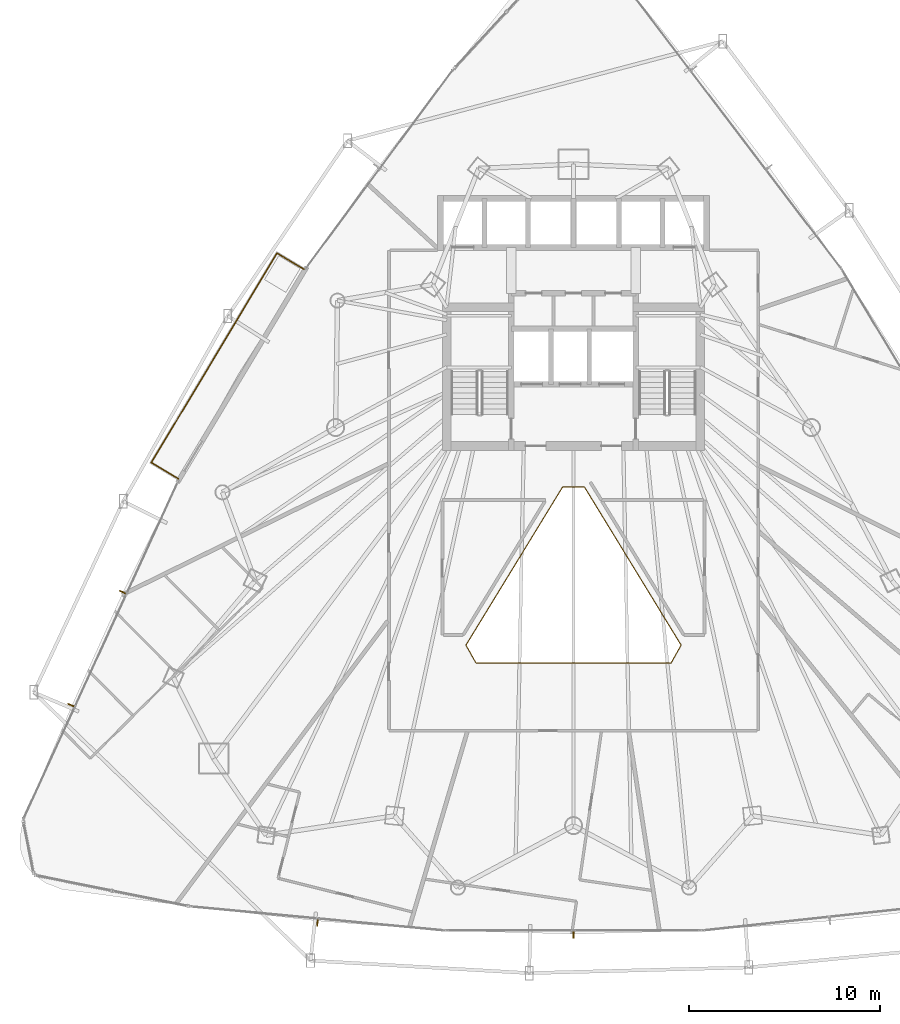
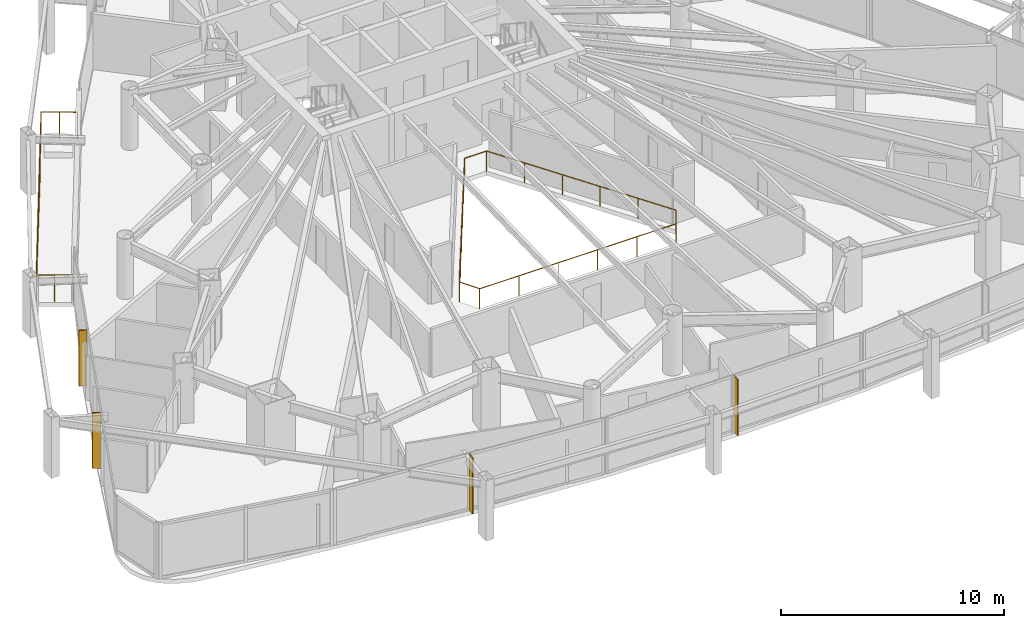
# One storey, part 32 of 35: 4 shading devices, 2 railings.
"""IFC4 building model written with IfcOpenShell, lengths in metres."""

from ifc_helpers import new_model, si_unit, direction, frame, origin, origin_2d, place, context, subcontext, project, spatial, rectangle, circle, extrude, material, layer, layer_set, type_object, element, save


model = new_model("IFC4")

# Units and contexts
model_context = context("Model", 3, precision=1e-05, world=origin(), true_north=direction((0.0, 1.0)))
body_context = subcontext(model_context, "Body", "Model", "MODEL_VIEW")
ifc_project = project(units=[si_unit("LENGTHUNIT", "METRE"), si_unit("AREAUNIT", "SQUARE_METRE"), si_unit("VOLUMEUNIT", "CUBIC_METRE"), si_unit("PLANEANGLEUNIT", "RADIAN"), si_unit("MASSUNIT", "GRAM", prefix="KILO")], contexts=[model_context])

# Site, building, storey
site_placement = place(None, origin())
site = spatial("IfcSite", under=ifc_project, at=site_placement, CompositionType="ELEMENT")
building_placement = place(site_placement, origin())
building = spatial("IfcBuilding", under=site, at=building_placement, Name="Orvanel Arch Residences", CompositionType="ELEMENT")
storey_placement = place(building_placement, frame((0.0, 0.0, 36.800048828125)))
storey = spatial("IfcBuildingStorey", under=building, at=storey_placement, Name="L09", CompositionType="ELEMENT", Elevation=36.800048828125)

# Shading devices
ifc_material = material(Name="Bronze-anodised aluminium AA6063-T6", Category="aluminium")
ifc_layer = layer(ifc_material, 0.06005859375)
ifc_layer_set = layer_set([ifc_layer], Name="Bronze-anodised aluminium AA6063-T6")
shading_device_type = type_object("IfcShadingDeviceType", Name="FIN-BRZ-380", PredefinedType="USERDEFINED", material=ifc_layer_set)
for number, where, z_axis, x_axis, name in (
    (1, (9.4541015625, 19.035888671875, 0.0), (0.0, 0.0, 1.0), (-0.909236109047, 0.41628079226, 0.0), "L09 Anodised Bronze Mullion FIN 01"),
    (2, (6.751953125, 13.137939453125, 0.0), (0.0, 0.0, 1.0), (-0.909236109047, 0.41628079226, 0.0), "L09 Anodised Bronze Mullion FIN 02"),
    (3, (19.6240234375, 1.77099609375, 0.0), (0.0, 0.0, 1.0), (-0.094108313319, -0.995561964603, 0.0), "L09 Anodised Bronze Mullion FIN 01"),
    (4, (33.0, 1.138916015625, 0.0), (0.0, 0.0, 1.0), (0.0, -1.0, 0.0), "L09 Anodised Bronze Mullion FIN 01"),
):
    element("IfcShadingDevice", number, at=place(storey_placement, frame(where, z_axis=z_axis, x_axis=x_axis)), inside=storey, type_object=shading_device_type, Name=name, ObjectType="FIN", PredefinedType="USERDEFINED", context=body_context, shape_type="SweptSolid", body=[
        extrude(rectangle(XDim=0.3798828125, YDim=0.06005859375, at=origin_2d()), origin(), (0.0, 0.0, 1.0), 3.06005859375),
    ])

# Railings
railing_type_1 = type_object("IfcRailingType", Name="RL-ATR-1120", PredefinedType="BALUSTRADE", material=ifc_material)
railing_1_placement = place(storey_placement, frame((33.569091796875, 24.531005859375, 0.0)))
element("IfcRailing", 5, at=railing_1_placement, inside=storey, type_object=railing_type_1, Name="L09 Atrium Void Protective Balustrade", PredefinedType="BALUSTRADE", context=body_context, shape_type="SweptSolid", body=[
    extrude(circle(Radius=0.02392578125, at=origin_2d()), frame((-0.00146484375, 0.0, 1.09619140625), z_axis=(-1.0, 0.0, 0.0), x_axis=(0.0, -1.0, 0.0)), (0.0, 0.0, 1.0), 1.13525390625),
    extrude(circle(Radius=0.02392578125, at=origin_2d()), frame((-1.138916015625, -0.001220703125, 1.09619140625), z_axis=(-0.521544896267, -0.853223840019, 0.0), x_axis=(0.853223840019, -0.521544896267, 0.0)), (0.0, 0.0, 1.0), 9.675537109375),
    extrude(circle(Radius=0.02392578125, at=origin_2d()), frame((-6.185302734375, -8.25927734375, 1.09619140625), z_axis=(0.489076966269, -0.872240632546, 0.0), x_axis=(0.872240632546, 0.489076966269, 0.0)), (0.0, 0.0, 1.0), 1.064208984375),
    extrude(circle(Radius=0.02392578125, at=origin_2d()), frame((-5.66259765625, -9.18896484375, 1.09619140625), z_axis=(1.0, 0.0, 0.0), x_axis=(0.0, 1.0, 0.0)), (0.0, 0.0, 1.0), 10.18701171875),
    extrude(circle(Radius=0.02392578125, at=origin_2d()), frame((4.526611328125, -9.187744140625, 1.09619140625), z_axis=(0.489076966269, 0.872240632546, 0.0), x_axis=(-0.872240632546, 0.489076966269, 0.0)), (0.0, 0.0, 1.0), 1.064208984375),
    extrude(circle(Radius=0.02392578125, at=origin_2d()), frame((5.047119140625, -8.2568359375, 1.09619140625), z_axis=(-0.521544896267, 0.853223840019, 0.0), x_axis=(-0.853223840019, -0.521544896267, 0.0)), (0.0, 0.0, 1.0), 9.675537109375),
    extrude(circle(Radius=0.02099609375, at=origin_2d()), origin(), (0.0, 0.0, 1.0), 1.070068359375),
    extrude(circle(Radius=0.02099609375, at=origin_2d()), frame((-1.13818359375, 0.0, 0.0)), (0.0, 0.0, 1.0), 1.070068359375),
    extrude(circle(Radius=0.02099609375, at=origin_2d()), frame((-2.147705078125, -1.651611328125, 0.0)), (0.0, 0.0, 1.0), 1.070068359375),
    extrude(circle(Radius=0.02099609375, at=origin_2d()), frame((-3.1572265625, -3.30322265625, 0.0)), (0.0, 0.0, 1.0), 1.070068359375),
    extrude(circle(Radius=0.02099609375, at=origin_2d()), frame((-4.1669921875, -4.954833984375, 0.0)), (0.0, 0.0, 1.0), 1.070068359375),
    extrude(circle(Radius=0.02099609375, at=origin_2d()), frame((-5.176513671875, -6.6064453125, 0.0)), (0.0, 0.0, 1.0), 1.070068359375),
    extrude(circle(Radius=0.02099609375, at=origin_2d()), frame((-6.18603515625, -8.258056640625, 0.0)), (0.0, 0.0, 1.0), 1.070068359375),
    extrude(circle(Radius=0.02099609375, at=origin_2d()), frame((-5.6640625, -9.18896484375, 0.0)), (0.0, 0.0, 1.0), 1.070068359375),
    extrude(circle(Radius=0.02099609375, at=origin_2d()), frame((-3.6259765625, -9.18896484375, 0.0)), (0.0, 0.0, 1.0), 1.070068359375),
    extrude(circle(Radius=0.02099609375, at=origin_2d()), frame((-1.588134765625, -9.18896484375, 0.0)), (0.0, 0.0, 1.0), 1.070068359375),
    extrude(circle(Radius=0.02099609375, at=origin_2d()), frame((0.449951171875, -9.18896484375, 0.0)), (0.0, 0.0, 1.0), 1.070068359375),
    extrude(circle(Radius=0.02099609375, at=origin_2d()), frame((2.48779296875, -9.18896484375, 0.0)), (0.0, 0.0, 1.0), 1.070068359375),
    extrude(circle(Radius=0.02099609375, at=origin_2d()), frame((4.52587890625, -9.18896484375, 0.0)), (0.0, 0.0, 1.0), 1.070068359375),
    extrude(circle(Radius=0.02099609375, at=origin_2d()), frame((5.0478515625, -8.258056640625, 0.0)), (0.0, 0.0, 1.0), 1.070068359375),
    extrude(circle(Radius=0.02099609375, at=origin_2d()), frame((4.038330078125, -6.6064453125, 0.0)), (0.0, 0.0, 1.0), 1.070068359375),
    extrude(circle(Radius=0.02099609375, at=origin_2d()), frame((3.02880859375, -4.954833984375, 0.0)), (0.0, 0.0, 1.0), 1.070068359375),
    extrude(circle(Radius=0.02099609375, at=origin_2d()), frame((2.01904296875, -3.30322265625, 0.0)), (0.0, 0.0, 1.0), 1.070068359375),
    extrude(circle(Radius=0.02099609375, at=origin_2d()), frame((1.009521484375, -1.651611328125, 0.0)), (0.0, 0.0, 1.0), 1.070068359375),
])
railing_type_2 = type_object("IfcRailingType", Name="RL-BAL-1480", PredefinedType="BALUSTRADE", material=ifc_material)
railing_2_placement = place(storey_placement, frame((18.916015625, 35.906005859375, 0.0)))
element("IfcRailing", 6, at=railing_2_placement, inside=storey, type_object=railing_type_2, Name="L09 Balcony Perimeter Guardrail Face 1", PredefinedType="BALUSTRADE", context=body_context, shape_type="SweptSolid", body=[
    extrude(circle(Radius=0.02392578125, at=origin_2d()), frame((-0.001220703125, 0.000732421875, 1.4560546875), z_axis=(-0.857387817543, 0.514670895164, 0.0), x_axis=(-0.514670895164, -0.857387817543, 0.0)), (0.0, 0.0, 1.0), 1.636962890625),
    extrude(circle(Radius=0.02392578125, at=origin_2d()), frame((-1.40673828125, 0.8427734375, 1.4560546875), z_axis=(-0.51437478846, -0.85756549429, 0.0), x_axis=(0.85756549429, -0.51437478846, 0.0)), (0.0, 0.0, 1.0), 12.760009765625),
    extrude(circle(Radius=0.02392578125, at=origin_2d()), frame((-7.9697265625, -10.101806640625, 1.4560546875), z_axis=(0.857545439568, -0.514408222208, 0.0), x_axis=(0.514408222208, 0.857545439568, 0.0)), (0.0, 0.0, 1.0), 1.6376953125),
    extrude(circle(Radius=0.02099609375, at=origin_2d()), origin(), (0.0, 0.0, 1.0), 1.429931640625),
    extrude(circle(Radius=0.02099609375, at=origin_2d()), frame((-0.703125, 0.421875, 0.0)), (0.0, 0.0, 1.0), 1.429931640625),
    extrude(circle(Radius=0.02099609375, at=origin_2d()), frame((-1.406005859375, 0.843994140625, 0.0)), (0.0, 0.0, 1.0), 1.429931640625),
    extrude(circle(Radius=0.02099609375, at=origin_2d()), frame((-2.0029296875, -0.151123046875, 0.0)), (0.0, 0.0, 1.0), 1.429931640625),
    extrude(circle(Radius=0.02099609375, at=origin_2d()), frame((-2.599609375, -1.14599609375, 0.0)), (0.0, 0.0, 1.0), 1.429931640625),
    extrude(circle(Radius=0.02099609375, at=origin_2d()), frame((-3.196533203125, -2.14111328125, 0.0)), (0.0, 0.0, 1.0), 1.429931640625),
    extrude(circle(Radius=0.02099609375, at=origin_2d()), frame((-3.793212890625, -3.135986328125, 0.0)), (0.0, 0.0, 1.0), 1.429931640625),
    extrude(circle(Radius=0.02099609375, at=origin_2d()), frame((-4.39013671875, -4.131103515625, 0.0)), (0.0, 0.0, 1.0), 1.429931640625),
    extrude(circle(Radius=0.02099609375, at=origin_2d()), frame((-4.98681640625, -5.1259765625, 0.0)), (0.0, 0.0, 1.0), 1.429931640625),
    extrude(circle(Radius=0.02099609375, at=origin_2d()), frame((-5.583740234375, -6.12109375, 0.0)), (0.0, 0.0, 1.0), 1.429931640625),
    extrude(circle(Radius=0.02099609375, at=origin_2d()), frame((-6.180419921875, -7.115966796875, 0.0)), (0.0, 0.0, 1.0), 1.429931640625),
    extrude(circle(Radius=0.02099609375, at=origin_2d()), frame((-6.77734375, -8.111083984375, 0.0)), (0.0, 0.0, 1.0), 1.429931640625),
    extrude(circle(Radius=0.02099609375, at=origin_2d()), frame((-7.3740234375, -9.10595703125, 0.0)), (0.0, 0.0, 1.0), 1.429931640625),
    extrude(circle(Radius=0.02099609375, at=origin_2d()), frame((-7.970947265625, -10.10107421875, 0.0)), (0.0, 0.0, 1.0), 1.429931640625),
    extrude(circle(Radius=0.02099609375, at=origin_2d()), frame((-7.267578125, -10.52294921875, 0.0)), (0.0, 0.0, 1.0), 1.429931640625),
    extrude(circle(Radius=0.02099609375, at=origin_2d()), frame((-6.56396484375, -10.945068359375, 0.0)), (0.0, 0.0, 1.0), 1.429931640625),
])

save(model, "model.ifc")
